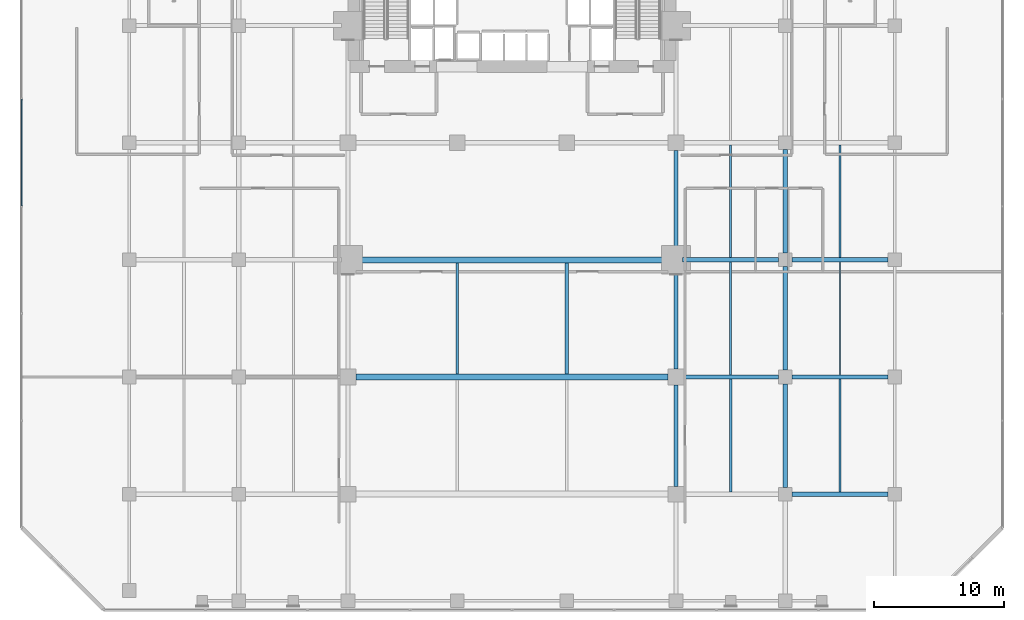
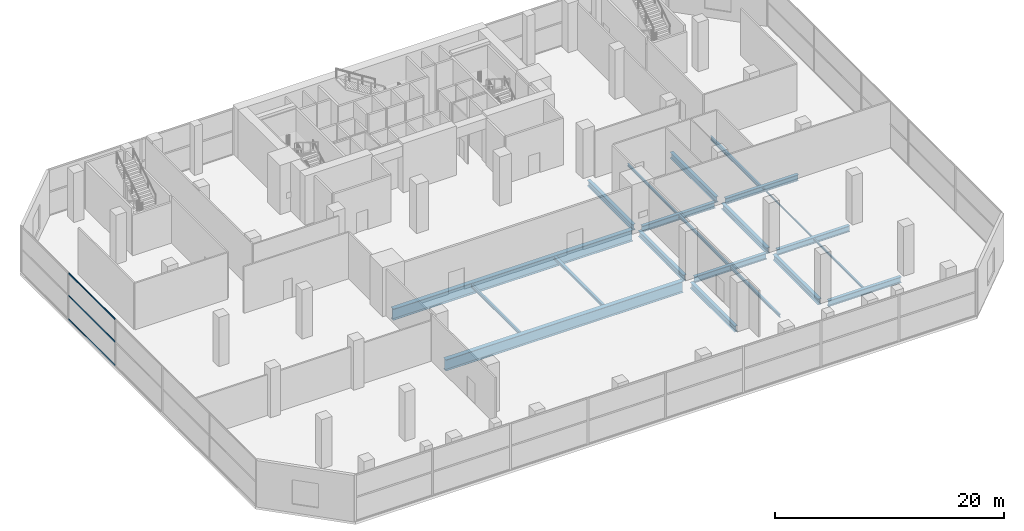
# One storey, part 16 of 40: 21 beams, 3 members, 1 element without a shape of its own.
"""IFC4 building model written with IfcOpenShell, lengths in metres."""

from ifc_helpers import new_model, si_unit, direction, frame, origin, origin_2d, place, context, subcontext, project, spatial, hollow_rectangle, i_section, extrude, material, layer, layer_set, material_profile, profile_set, type_object, element, aggregate, save


model = new_model("IFC4")

# Units and contexts
model_context = context("Model", 3, precision=1e-05, world=origin(), true_north=direction((0.0, 1.0)))
body_context = subcontext(model_context, "Body", "Model", "MODEL_VIEW")
ifc_project = project(units=[si_unit("LENGTHUNIT", "METRE"), si_unit("AREAUNIT", "SQUARE_METRE"), si_unit("VOLUMEUNIT", "CUBIC_METRE"), si_unit("PLANEANGLEUNIT", "RADIAN"), si_unit("MASSUNIT", "GRAM", prefix="KILO")], contexts=[model_context])

# Site, building, storey
site_placement = place(None, origin())
site = spatial("IfcSite", under=ifc_project, at=site_placement, CompositionType="ELEMENT")
building_placement = place(site_placement, origin())
building = spatial("IfcBuilding", under=site, at=building_placement, Name="Maruvema Waterfront Hotel and Observation Tower", CompositionType="ELEMENT")
storey_placement = place(building_placement, frame((0.0, 0.0, 5.60009765625)))
storey = spatial("IfcBuildingStorey", under=building, at=storey_placement, Name="L01", CompositionType="ELEMENT", Elevation=5.60009765625)

# Curtain wall, members
ifc_material_1 = material(Name="Anodised bronze aluminium and solar-control low-E IGU", Category="aluminium")
ifc_layer = layer(ifc_material_1, 0.159912109375, Name="Podium Waterfront Storefront Curtain Wall System CW-01")
ifc_layer_set = layer_set([ifc_layer], Name="Anodised bronze aluminium and solar-control low-E IGU")
curtain_wall_type = type_object("IfcCurtainWallType", Name="Podium Waterfront Storefront Curtain Wall System CW-01", PredefinedType="USERDEFINED", material=ifc_layer_set)
curtain_wall_placement = place(storey_placement, origin())
curtain_wall = element("IfcCurtainWall", 1, at=curtain_wall_placement, inside=storey, type_object=curtain_wall_type, Name="L01 Curtain Wall CW-L01-W", ObjectType="UNITISED CURTAIN WALL", PredefinedType="USERDEFINED")
ifc_material_2 = material(Name="Anodised architectural bronze aluminium", Category="aluminium")
ifc_material_profile_1 = material_profile(ifc_material_2, hollow_rectangle(XDim=0.070068359375, YDim=0.14990234375, WallThickness=0.00390625, at=origin_2d()), Name="ALU-T70x150")
ifc_profile_set_1 = profile_set([ifc_material_profile_1], Name="Anodised architectural bronze aluminium")
member_type = type_object("IfcMemberType", Name="Curtain Wall Horizontal Transom ALU-T70x150", PredefinedType="USERDEFINED", material=ifc_profile_set_1)
member_1_placement = place(storey_placement, frame((0.1201171875, 39.330078125, 0.02978515625), z_axis=(0.0, -1.0, 0.0), x_axis=(1.0, 0.0, 0.0)))
member_1 = element("IfcMember", 2, at=member_1_placement, type_object=member_type, Name="CW-01 transom 2.1", ObjectType="TRANSOM", PredefinedType="USERDEFINED", context=body_context, shape_type="SweptSolid", body=[
    extrude(hollow_rectangle(XDim=0.070068359375, YDim=0.14990234375, WallThickness=0.00390625, at=origin_2d()), origin(), (0.0, 0.0, 1.0), 8.18017578125),
])
member_2_placement = place(storey_placement, frame((0.1201171875, 39.330078125, 2.5498046875), z_axis=(0.0, -1.0, 0.0), x_axis=(1.0, 0.0, 0.0)))
member_2 = element("IfcMember", 3, at=member_2_placement, type_object=member_type, Name="CW-01 transom 2.2", ObjectType="TRANSOM", PredefinedType="USERDEFINED", context=body_context, shape_type="SweptSolid", body=[
    extrude(hollow_rectangle(XDim=0.070068359375, YDim=0.14990234375, WallThickness=0.00390625, at=origin_2d()), origin(), (0.0, 0.0, 1.0), 8.18017578125),
])
member_3_placement = place(storey_placement, frame((0.1201171875, 39.330078125, 4.93994140625), z_axis=(0.0, -1.0, 0.0), x_axis=(1.0, 0.0, 0.0)))
member_3 = element("IfcMember", 4, at=member_3_placement, type_object=member_type, Name="CW-01 transom 2.3", ObjectType="TRANSOM", PredefinedType="USERDEFINED", context=body_context, shape_type="SweptSolid", body=[
    extrude(hollow_rectangle(XDim=0.070068359375, YDim=0.14990234375, WallThickness=0.00390625, at=origin_2d()), origin(), (0.0, 0.0, 1.0), 8.18017578125),
])
aggregate(curtain_wall, [member_1, member_2, member_3])

# Beams
ifc_material_3 = material(Name="Steel ASTM A572 Grade 50", Category="steel")
ifc_material_profile_2 = material_profile(ifc_material_3, i_section(OverallWidth=0.3291015625, OverallDepth=0.635009765625, WebThickness=0.017822265625, FlangeThickness=0.031005859375, FilletRadius=0.01806640625, at=origin_2d()), Name="W610x241.0")
ifc_profile_set_2 = profile_set([ifc_material_profile_2], Name="Steel ASTM A572 Grade 50")
beam_type_1 = type_object("IfcBeamType", Name="Primary Floor Girder W610x241.0", PredefinedType="BEAM", material=ifc_profile_set_2)
beam_1_placement = place(storey_placement, frame((59.324951171875, 9.0, -0.59765625), z_axis=(1.0, 0.0, 0.0), x_axis=(0.0, 1.0, 0.0)))
element("IfcBeam", 5, at=beam_1_placement, inside=storey, type_object=beam_type_1, Name="L01 Floor Girder EW-14", PredefinedType="BEAM", context=body_context, shape_type="SweptSolid", body=[
    extrude(i_section(OverallWidth=0.3291015625, OverallDepth=0.635009765625, WebThickness=0.017822265625, FlangeThickness=0.031005859375, FilletRadius=0.01806640625, at=origin_2d()), origin(), (0.0, 0.0, 1.0), 7.35009765625),
])
beam_2_placement = place(storey_placement, frame((51.0, 18.0, -0.59765625), z_axis=(1.0, 0.0, 0.0), x_axis=(0.0, 1.0, 0.0)))
element("IfcBeam", 6, at=beam_2_placement, inside=storey, type_object=beam_type_1, Name="L01 Floor Girder EW-18", PredefinedType="BEAM", context=body_context, shape_type="SweptSolid", body=[
    extrude(i_section(OverallWidth=0.3291015625, OverallDepth=0.635009765625, WebThickness=0.017822265625, FlangeThickness=0.031005859375, FilletRadius=0.01806640625, at=origin_2d()), origin(), (0.0, 0.0, 1.0), 7.27490234375),
])
beam_3_placement = place(storey_placement, frame((59.324951171875, 18.0, -0.59765625), z_axis=(1.0, 0.0, 0.0), x_axis=(0.0, 1.0, 0.0)))
element("IfcBeam", 7, at=beam_3_placement, inside=storey, type_object=beam_type_1, Name="L01 Floor Girder EW-19", PredefinedType="BEAM", context=body_context, shape_type="SweptSolid", body=[
    extrude(i_section(OverallWidth=0.3291015625, OverallDepth=0.635009765625, WebThickness=0.017822265625, FlangeThickness=0.031005859375, FilletRadius=0.01806640625, at=origin_2d()), origin(), (0.0, 0.0, 1.0), 7.35009765625),
])
beam_4_placement = place(storey_placement, frame((50.89990234375, 27.0, -0.59765625), z_axis=(1.0, 0.0, 0.0), x_axis=(0.0, 1.0, 0.0)))
element("IfcBeam", 8, at=beam_4_placement, inside=storey, type_object=beam_type_1, Name="L01 Floor Girder EW-23", PredefinedType="BEAM", context=body_context, shape_type="SweptSolid", body=[
    extrude(i_section(OverallWidth=0.3291015625, OverallDepth=0.635009765625, WebThickness=0.017822265625, FlangeThickness=0.031005859375, FilletRadius=0.01806640625, at=origin_2d()), origin(), (0.0, 0.0, 1.0), 7.375),
])
beam_5_placement = place(storey_placement, frame((59.324951171875, 27.0, -0.59765625), z_axis=(1.0, 0.0, 0.0), x_axis=(0.0, 1.0, 0.0)))
element("IfcBeam", 9, at=beam_5_placement, inside=storey, type_object=beam_type_1, Name="L01 Floor Girder EW-24", PredefinedType="BEAM", context=body_context, shape_type="SweptSolid", body=[
    extrude(i_section(OverallWidth=0.3291015625, OverallDepth=0.635009765625, WebThickness=0.017822265625, FlangeThickness=0.031005859375, FilletRadius=0.01806640625, at=origin_2d()), origin(), (0.0, 0.0, 1.0), 7.35009765625),
])
beam_6_placement = place(storey_placement, frame((50.39990234375, 9.60009765625, -0.59765625), z_axis=(0.0, 1.0, 0.0), x_axis=(-1.0, 0.0, 0.0)))
element("IfcBeam", 10, at=beam_6_placement, inside=storey, type_object=beam_type_1, Name="L01 Floor Girder NS-19", PredefinedType="BEAM", context=body_context, shape_type="SweptSolid", body=[
    extrude(i_section(OverallWidth=0.3291015625, OverallDepth=0.635009765625, WebThickness=0.017822265625, FlangeThickness=0.031005859375, FilletRadius=0.01806640625, at=origin_2d()), origin(), (0.0, 0.0, 1.0), 7.7998046875),
])
for number, where, z_axis, x_axis, name in (
    (11, (50.39990234375, 18.60009765625, -0.59765625), (0.0, 1.0, 0.0), (-1.0, 0.0, 0.0), "L01 Floor Girder NS-20"),
    (12, (50.39990234375, 27.5, -0.59765625), (0.0, 1.0, 0.0), (-1.0, 0.0, 0.0), "L01 Floor Girder NS-21"),
):
    element("IfcBeam", number, at=place(storey_placement, frame(where, z_axis=z_axis, x_axis=x_axis)), inside=storey, type_object=beam_type_1, Name=name, PredefinedType="BEAM", context=body_context, shape_type="SweptSolid", body=[
        extrude(i_section(OverallWidth=0.3291015625, OverallDepth=0.635009765625, WebThickness=0.017822265625, FlangeThickness=0.031005859375, FilletRadius=0.01806640625, at=origin_2d()), origin(), (0.0, 0.0, 1.0), 7.89990234375),
    ])
for number, where, z_axis, x_axis, name in (
    (13, (58.800048828125, 9.52490234375, -0.59765625), (0.0, 1.0, 0.0), (-1.0, 0.0, 0.0), "L01 Floor Girder NS-24"),
    (14, (58.800048828125, 18.52490234375, -0.59765625), (0.0, 1.0, 0.0), (-1.0, 0.0, 0.0), "L01 Floor Girder NS-25"),
    (15, (58.800048828125, 27.52490234375, -0.59765625), (0.0, 1.0, 0.0), (-1.0, 0.0, 0.0), "L01 Floor Girder NS-26"),
):
    element("IfcBeam", number, at=place(storey_placement, frame(where, z_axis=z_axis, x_axis=x_axis)), inside=storey, type_object=beam_type_1, Name=name, PredefinedType="BEAM", context=body_context, shape_type="SweptSolid", body=[
        extrude(i_section(OverallWidth=0.3291015625, OverallDepth=0.635009765625, WebThickness=0.017822265625, FlangeThickness=0.031005859375, FilletRadius=0.01806640625, at=origin_2d()), origin(), (0.0, 0.0, 1.0), 7.9501953125),
    ])
ifc_material_4 = material(Name="Steel ASTM A572 Grade 50", Category="steel")
ifc_material_profile_3 = material_profile(ifc_material_4, i_section(OverallWidth=0.10009765625, OverallDepth=0.153076171875, WebThickness=0.005859375, FlangeThickness=0.007080078125, FilletRadius=0.008056640625, at=origin_2d()), Name="W150x18.0")
ifc_profile_set_3 = profile_set([ifc_material_profile_3], Name="Steel ASTM A572 Grade 50")
beam_type_2 = type_object("IfcBeamType", Name="Secondary Floor Joist W150x18.0", PredefinedType="JOIST", material=ifc_profile_set_3)
beam_7_placement = place(storey_placement, frame((63.0, 18.16455078125, -0.356689453125), z_axis=(0.0, 1.0, 0.0), x_axis=(-1.0, 0.0, 0.0)))
element("IfcBeam", 16, at=beam_7_placement, inside=storey, type_object=beam_type_2, Name="L01 Secondary Floor Joist JS-18", PredefinedType="JOIST", context=body_context, shape_type="SweptSolid", body=[
    extrude(i_section(OverallWidth=0.10009765625, OverallDepth=0.153076171875, WebThickness=0.005859375, FlangeThickness=0.007080078125, FilletRadius=0.008056640625, at=origin_2d()), origin(), (0.0, 0.0, 1.0), 8.6708984375),
])
ifc_material_5 = material(Name="Steel ASTM A572 Grade 50", Category="steel")
ifc_material_profile_4 = material_profile(ifc_material_5, i_section(OverallWidth=0.133056640625, OverallDepth=0.20703125, WebThickness=0.005859375, FlangeThickness=0.00830078125, FilletRadius=0.010009765625, at=origin_2d()), Name="W200x26.6")
ifc_profile_set_4 = profile_set([ifc_material_profile_4], Name="Steel ASTM A572 Grade 50")
beam_type_3 = type_object("IfcBeamType", Name="Secondary Floor Joist W200x26.6", PredefinedType="JOIST", material=ifc_profile_set_4)
beam_8_placement = place(storey_placement, frame((63.0, 9.16455078125, -0.383544921875), z_axis=(0.0, 1.0, 0.0), x_axis=(-1.0, 0.0, 0.0)))
element("IfcBeam", 17, at=beam_8_placement, inside=storey, type_object=beam_type_3, Name="L01 Secondary Floor Joist JS-17", PredefinedType="JOIST", context=body_context, shape_type="SweptSolid", body=[
    extrude(i_section(OverallWidth=0.133056640625, OverallDepth=0.20703125, WebThickness=0.005859375, FlangeThickness=0.00830078125, FilletRadius=0.010009765625, at=origin_2d()), origin(), (0.0, 0.0, 1.0), 8.6708984375),
])
ifc_material_6 = material(Name="Steel ASTM A572 Grade 50", Category="steel")
ifc_material_profile_5 = material_profile(ifc_material_6, i_section(OverallWidth=0.14794921875, OverallDepth=0.26611328125, WebThickness=0.007568359375, FlangeThickness=0.012939453125, FilletRadius=0.012939453125, at=origin_2d()), Name="W250x44.8")
ifc_profile_set_5 = profile_set([ifc_material_profile_5], Name="Steel ASTM A572 Grade 50")
beam_type_4 = type_object("IfcBeamType", Name="Secondary Floor Joist W250x44.8", PredefinedType="JOIST", material=ifc_profile_set_5)
beam_9_placement = place(storey_placement, frame((54.60009765625, 27.16455078125, -0.4130859375), z_axis=(0.0, 1.0, 0.0), x_axis=(-1.0, 0.0, 0.0)))
element("IfcBeam", 18, at=beam_9_placement, inside=storey, type_object=beam_type_4, Name="L01 Secondary Floor Joist JS-15", PredefinedType="JOIST", context=body_context, shape_type="SweptSolid", body=[
    extrude(i_section(OverallWidth=0.14794921875, OverallDepth=0.26611328125, WebThickness=0.007568359375, FlangeThickness=0.012939453125, FilletRadius=0.012939453125, at=origin_2d()), origin(), (0.0, 0.0, 1.0), 8.6708984375),
])
ifc_material_7 = material(Name="Steel ASTM A572 Grade 50", Category="steel")
ifc_material_profile_6 = material_profile(ifc_material_7, i_section(OverallWidth=0.1650390625, OverallDepth=0.31005859375, WebThickness=0.005859375, FlangeThickness=0.009765625, FilletRadius=0.012939453125, at=origin_2d()), Name="W310x38.7")
ifc_profile_set_6 = profile_set([ifc_material_profile_6], Name="Steel ASTM A572 Grade 50")
beam_type_5 = type_object("IfcBeamType", Name="Secondary Floor Joist W310x38.7", PredefinedType="JOIST", material=ifc_profile_set_6)
beam_10_placement = place(storey_placement, frame((54.60009765625, 18.16455078125, -0.43505859375), z_axis=(0.0, 1.0, 0.0), x_axis=(-1.0, 0.0, 0.0)))
element("IfcBeam", 19, at=beam_10_placement, inside=storey, type_object=beam_type_5, Name="L01 Secondary Floor Joist JS-14", PredefinedType="JOIST", context=body_context, shape_type="SweptSolid", body=[
    extrude(i_section(OverallWidth=0.1650390625, OverallDepth=0.31005859375, WebThickness=0.005859375, FlangeThickness=0.009765625, FilletRadius=0.012939453125, at=origin_2d()), origin(), (0.0, 0.0, 1.0), 8.6708984375),
])
ifc_material_8 = material(Name="Steel ASTM A572 Grade 50", Category="steel")
ifc_material_profile_7 = material_profile(ifc_material_8, i_section(OverallWidth=0.1669921875, OverallDepth=0.31689453125, WebThickness=0.007568359375, FlangeThickness=0.01318359375, FilletRadius=0.012939453125, at=origin_2d()), Name="W310x52.0")
ifc_profile_set_7 = profile_set([ifc_material_profile_7], Name="Steel ASTM A572 Grade 50")
beam_type_6 = type_object("IfcBeamType", Name="Secondary Floor Joist W310x52.0", PredefinedType="JOIST", material=ifc_profile_set_7)
beam_11_placement = place(storey_placement, frame((54.60009765625, 9.16455078125, -0.4384765625), z_axis=(0.0, 1.0, 0.0), x_axis=(-1.0, 0.0, 0.0)))
element("IfcBeam", 20, at=beam_11_placement, inside=storey, type_object=beam_type_6, Name="L01 Secondary Floor Joist JS-13", PredefinedType="JOIST", context=body_context, shape_type="SweptSolid", body=[
    extrude(i_section(OverallWidth=0.1669921875, OverallDepth=0.31689453125, WebThickness=0.007568359375, FlangeThickness=0.01318359375, FilletRadius=0.012939453125, at=origin_2d()), origin(), (0.0, 0.0, 1.0), 8.6708984375),
])
ifc_material_9 = material(Name="Steel ASTM A572 Grade 50", Category="steel")
ifc_material_profile_8 = material_profile(ifc_material_9, i_section(OverallWidth=0.25390625, OverallDepth=0.305908203125, WebThickness=0.0087890625, FlangeThickness=0.0146484375, FilletRadius=0.014892578125, at=origin_2d()), Name="W310x79.0")
ifc_profile_set_8 = profile_set([ifc_material_profile_8], Name="Steel ASTM A572 Grade 50")
beam_type_7 = type_object("IfcBeamType", Name="Secondary Floor Joist W310x79.0", PredefinedType="JOIST", material=ifc_profile_set_8)
beam_12_placement = place(storey_placement, frame((42.0, 18.22509765625, -0.43310546875), z_axis=(0.0, 1.0, 0.0), x_axis=(-1.0, 0.0, 0.0)))
element("IfcBeam", 21, at=beam_12_placement, inside=storey, type_object=beam_type_7, Name="L01 Secondary Floor Joist JS-12", PredefinedType="JOIST", context=body_context, shape_type="SweptSolid", body=[
    extrude(i_section(OverallWidth=0.25390625, OverallDepth=0.305908203125, WebThickness=0.0087890625, FlangeThickness=0.0146484375, FilletRadius=0.014892578125, at=origin_2d()), origin(), (0.0, 0.0, 1.0), 8.5498046875),
])
ifc_material_10 = material(Name="Steel ASTM A572 Grade 50", Category="steel")
ifc_material_profile_9 = material_profile(ifc_material_10, i_section(OverallWidth=0.1708984375, OverallDepth=0.35498046875, WebThickness=0.007080078125, FlangeThickness=0.01171875, FilletRadius=0.014892578125, at=origin_2d()), Name="W360x51.0")
ifc_profile_set_9 = profile_set([ifc_material_profile_9], Name="Steel ASTM A572 Grade 50")
beam_type_8 = type_object("IfcBeamType", Name="Secondary Floor Joist W360x51.0", PredefinedType="JOIST", material=ifc_profile_set_9)
beam_13_placement = place(storey_placement, frame((33.60009765625, 18.22509765625, -0.45751953125), z_axis=(0.0, 1.0, 0.0), x_axis=(-1.0, 0.0, 0.0)))
element("IfcBeam", 22, at=beam_13_placement, inside=storey, type_object=beam_type_8, Name="L01 Secondary Floor Joist JS-11", PredefinedType="JOIST", context=body_context, shape_type="SweptSolid", body=[
    extrude(i_section(OverallWidth=0.1708984375, OverallDepth=0.35498046875, WebThickness=0.007080078125, FlangeThickness=0.01171875, FilletRadius=0.014892578125, at=origin_2d()), origin(), (0.0, 0.0, 1.0), 8.5498046875),
])
ifc_material_11 = material(Name="Steel ASTM A572 Grade 50", Category="steel")
ifc_material_profile_10 = material_profile(ifc_material_11, i_section(OverallWidth=0.177001953125, OverallDepth=0.403076171875, WebThickness=0.007568359375, FlangeThickness=0.010986328125, FilletRadius=0.014892578125, at=origin_2d()), Name="W410x53.0")
ifc_profile_set_10 = profile_set([ifc_material_profile_10], Name="Steel ASTM A572 Grade 50")
beam_type_9 = type_object("IfcBeamType", Name="Secondary Floor Joist W410x53.0", PredefinedType="JOIST", material=ifc_profile_set_10)
beam_14_placement = place(storey_placement, frame((63.0, 27.16455078125, -0.481689453125), z_axis=(0.0, 1.0, 0.0), x_axis=(-1.0, 0.0, 0.0)))
element("IfcBeam", 23, at=beam_14_placement, inside=storey, type_object=beam_type_9, Name="L01 Secondary Floor Joist JS-19", PredefinedType="JOIST", context=body_context, shape_type="SweptSolid", body=[
    extrude(i_section(OverallWidth=0.177001953125, OverallDepth=0.403076171875, WebThickness=0.007568359375, FlangeThickness=0.010986328125, FilletRadius=0.014892578125, at=origin_2d()), origin(), (0.0, 0.0, 1.0), 8.6708984375),
])
ifc_material_12 = material(Name="Steel ABNT NBR 7007 AR 415 (ASTM A572 Grade 50)", Category="steel")
ifc_material_profile_11 = material_profile(ifc_material_12, i_section(OverallWidth=0.449951171875, OverallDepth=1.199951171875, WebThickness=0.01904296875, FlangeThickness=0.031982421875, at=origin_2d()), Name="VS1200x366")
ifc_profile_set_11 = profile_set([ifc_material_profile_11], Name="Steel ABNT NBR 7007 AR 415 (ASTM A572 Grade 50)")
beam_type_10 = type_object("IfcBeamType", Name="Upper Setback Transfer Girder VS1200x366", PredefinedType="USERDEFINED", material=ifc_profile_set_11)
beam_15_placement = place(storey_placement, frame((25.800048828125, 18.0, -0.880126953125), z_axis=(1.0, 0.0, 0.0), x_axis=(0.0, 1.0, 0.0)))
element("IfcBeam", 24, at=beam_15_placement, inside=storey, type_object=beam_type_10, Name="L01 Floor Girder EW-17", ObjectType="TRANSFER GIRDER", PredefinedType="USERDEFINED", context=body_context, shape_type="SweptSolid", body=[
    extrude(i_section(OverallWidth=0.449951171875, OverallDepth=1.199951171875, WebThickness=0.01904296875, FlangeThickness=0.031982421875, at=origin_2d()), origin(), (0.0, 0.0, 1.0), 24.0),
])
beam_16_placement = place(storey_placement, frame((25.699951171875, 27.0, -0.880126953125), z_axis=(1.0, 0.0, 0.0), x_axis=(0.0, 1.0, 0.0)))
element("IfcBeam", 25, at=beam_16_placement, inside=storey, type_object=beam_type_10, Name="L01 Floor Girder EW-22", ObjectType="TRANSFER GIRDER", PredefinedType="USERDEFINED", context=body_context, shape_type="SweptSolid", body=[
    extrude(i_section(OverallWidth=0.449951171875, OverallDepth=1.199951171875, WebThickness=0.01904296875, FlangeThickness=0.031982421875, at=origin_2d()), origin(), (0.0, 0.0, 1.0), 24.199951171875),
])

save(model, "model.ifc")
